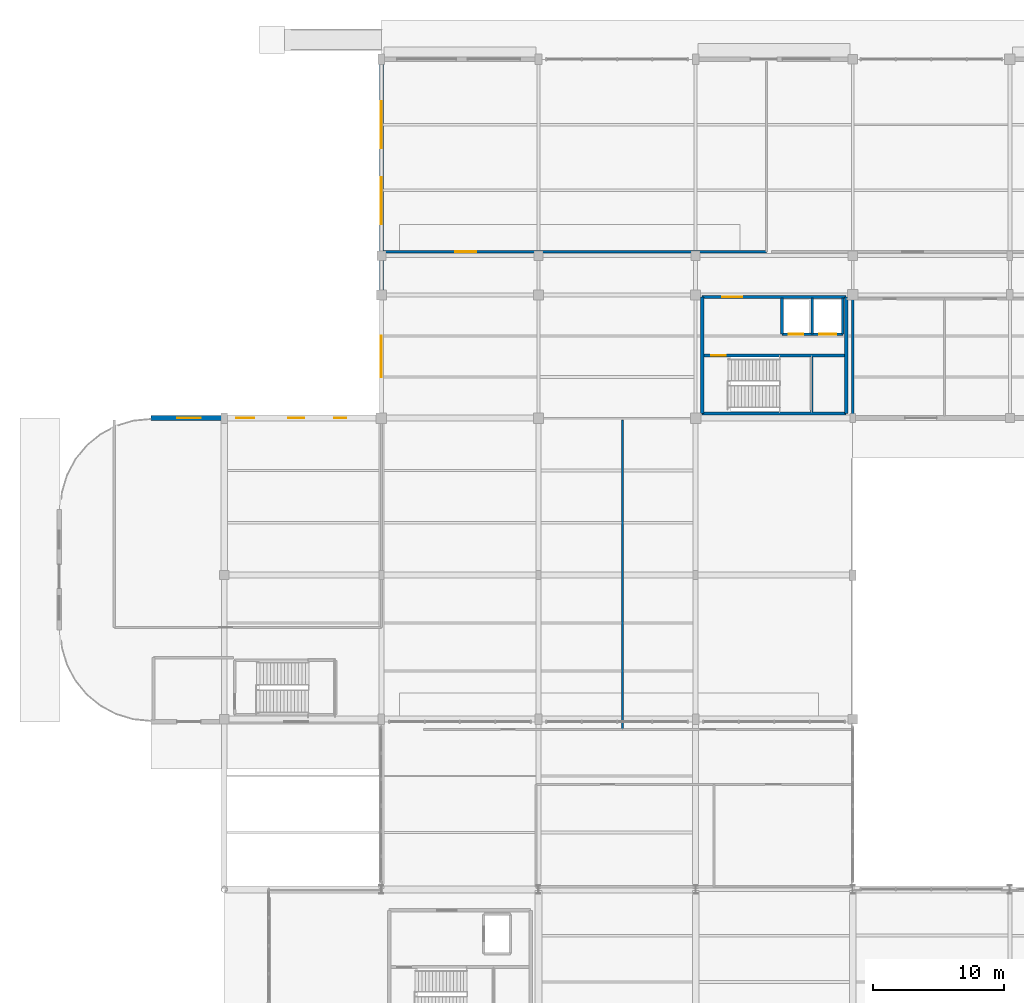
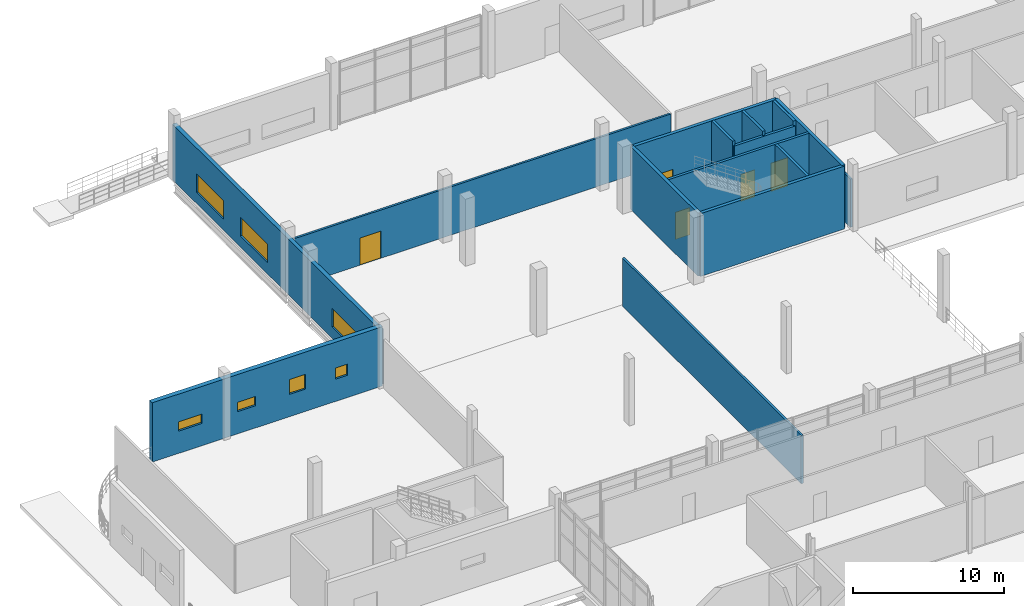
# One storey, part 60 of 85: 15 walls, 7 windows, 5 doors, 12 openings.
"""IFC4 building model written with IfcOpenShell, lengths in metres."""

from ifc_helpers import new_model, si_unit, direction, frame, frame_2d, origin, place, context, subcontext, project, spatial, rectangle, extrude, material, layer, layer_set, type_object, element, fill, save


model = new_model("IFC4")

# Units and contexts
model_context = context("Model", 3, precision=1e-05, world=origin(), true_north=direction((0.0, 1.0)))
body_context = subcontext(model_context, "Body", "Model", "MODEL_VIEW")
ifc_project = project(units=[si_unit("LENGTHUNIT", "METRE"), si_unit("AREAUNIT", "SQUARE_METRE"), si_unit("VOLUMEUNIT", "CUBIC_METRE"), si_unit("PLANEANGLEUNIT", "RADIAN"), si_unit("MASSUNIT", "GRAM", prefix="KILO"), si_unit("THERMODYNAMICTEMPERATUREUNIT", "KELVIN"), si_unit("POWERUNIT", "WATT")], contexts=[model_context])

# Site, building, storey
site_placement = place(None, origin())
site = spatial("IfcSite", under=ifc_project, at=site_placement, CompositionType="ELEMENT")
building_placement = place(site_placement, origin())
building = spatial("IfcBuilding", under=site, at=building_placement, Name="Solmara Park Aquatics Centre", CompositionType="ELEMENT")
storey_placement = place(building_placement, origin())
storey = spatial("IfcBuildingStorey", under=building, at=storey_placement, Name="L00", CompositionType="ELEMENT", Elevation=0.0)

# Wall
ifc_material_1 = material(Name="Concrete C40/50", Category="concrete")
ifc_layer_1 = layer(ifc_material_1, 0.25, Name="Concrete C40/50")
ifc_layer_set_1 = layer_set([ifc_layer_1], Name="Concrete C40/50")
wall_type_1 = type_object("IfcWallType", Name="ARC-WL-CORE250", PredefinedType="SHEAR", material=ifc_layer_set_1)
wall_1_placement = place(storey_placement, frame((49.10009765625, 108.949951171875, 0.0), z_axis=(0.0, 0.0, 1.0), x_axis=(1.0, 0.0, 0.0)))
element("IfcWall", 1, at=wall_1_placement, inside=storey, type_object=wall_type_1, Name="CORE-1 Core Wall S L00", PredefinedType="SHEAR", context=body_context, shape_type="SweptSolid", body=[
    extrude(rectangle(XDim=11.0, YDim=0.25, at=frame_2d((5.5, 0.0))), origin(), (0.0, 0.0, 1.0), 5.080078125),
])

# Wall, opening, door
wall_2_placement = place(storey_placement, frame((49.10009765625, 117.85009765625, 0.0), z_axis=(0.0, 0.0, 1.0), x_axis=(1.0, 0.0, 0.0)))
wall_2 = element("IfcWall", 2, at=wall_2_placement, inside=storey, type_object=wall_type_1, Name="CORE-1 Core Wall N L00", PredefinedType="SHEAR", context=body_context, shape_type="SweptSolid", body=[
    extrude(rectangle(XDim=11.0, YDim=0.25, at=frame_2d((5.5, 0.0))), origin(), (0.0, 0.0, 1.0), 5.080078125),
])
opening_1_placement = place(wall_2_placement, frame((1.550048828125, 0.0, 0.0)))
opening_1 = element("IfcOpeningElement", 3, at=opening_1_placement, cuts=wall_2, Name="Opening D-12", PredefinedType="OPENING", context=body_context, shape_type="SweptSolid", body=[
    extrude(rectangle(XDim=1.5, YDim=2.199951171875, at=frame_2d((0.75, 1.10009765625))), frame((0.0, 0.135009765625, 0.0), z_axis=(0.0, -1.0, 0.0), x_axis=(1.0, 0.0, 0.0)), (0.0, 0.0, 1.0), 0.27001953125),
])
ifc_material_2 = material(Name="Moisture-Resistant HPL & Hardwood", Category="wood")
door_type_1 = type_object("IfcDoorType", Name="ARC-DR-FD150x220", OperationType="DOUBLE_DOOR_SINGLE_SWING", PredefinedType="DOOR", material=ifc_material_2)
door_1_placement = place(opening_1_placement, origin())
door_1 = element("IfcDoor", 4, at=door_1_placement, inside=storey, type_object=door_type_1, Name="CORE-1 Lobby Entry Fire Door L00", OperationType="DOUBLE_DOOR_SINGLE_SWING", OverallHeight=2.199951171875, OverallWidth=1.5, PredefinedType="DOOR", context=body_context, shape_type="SweptSolid", body=[
    extrude(rectangle(XDim=1.5, YDim=2.199951171875, at=frame_2d((0.75, 1.10009765625))), frame((0.0, 0.02490234375, 0.0), z_axis=(0.0, -1.0, 0.0), x_axis=(1.0, 0.0, 0.0)), (0.0, 0.0, 1.0), 0.050048828125),
])
fill(opening_1, door_1)

# Walls
for number, where, z_axis, x_axis, name in (
    (5, (49.10009765625, 108.949951171875, 0.0), (0.0, 0.0, 1.0), (0.0, 1.0, 0.0), "CORE-1 Core Wall W L00"),
    (6, (60.10009765625, 108.949951171875, 0.0), (0.0, 0.0, 1.0), (0.0, 1.0, 0.0), "CORE-1 Core Wall E L00"),
):
    element("IfcWall", number, at=place(storey_placement, frame(where, z_axis=z_axis, x_axis=x_axis)), inside=storey, type_object=wall_type_1, Name=name, PredefinedType="SHEAR", context=body_context, shape_type="SweptSolid", body=[
        extrude(rectangle(XDim=8.900146484375, YDim=0.25, at=frame_2d((4.4501953125, 0.0))), origin(), (0.0, 0.0, 1.0), 5.080078125),
    ])

# Wall, openings, windows
ifc_material_3 = material(Name="Insulated Limestone Render Wall", Category="masonry")
ifc_layer_2 = layer(ifc_material_3, 0.300048828125, Name="Insulated Limestone Render Wall")
ifc_layer_set_2 = layer_set([ifc_layer_2], Name="Insulated Limestone Render Wall")
wall_type_2 = type_object("IfcWallType", Name="ARC-WL-EXT300", PredefinedType="SOLIDWALL", material=ifc_layer_set_2)
wall_3_placement = place(storey_placement, frame((24.60009765625, 108.60009765625, 0.0), z_axis=(0.0, 0.0, 1.0), x_axis=(0.0, 1.0, 0.0)))
wall_3 = element("IfcWall", 7, at=wall_3_placement, inside=storey, type_object=wall_type_2, Name="Exterior Facade Wall EW-L00-022", PredefinedType="SOLIDWALL", context=body_context, shape_type="SweptSolid", body=[
    extrude(rectangle(XDim=27.39990234375, YDim=0.300048828125, at=frame_2d((13.699951171875, 0.0))), origin(), (0.0, 0.0, 1.0), 4.47998046875),
])
opening_2_placement = place(wall_3_placement, frame((3.10009765625, 0.0, 0.89990234375)))
opening_2 = element("IfcOpeningElement", 8, at=opening_2_placement, cuts=wall_3, Name="Opening W-14", PredefinedType="OPENING", context=body_context, shape_type="SweptSolid", body=[
    extrude(rectangle(XDim=3.199951171875, YDim=1.5, at=frame_2d((1.60009765625, 0.75))), frame((0.0, 0.159912109375, 0.0), z_axis=(0.0, -1.0, 0.0), x_axis=(1.0, 0.0, 0.0)), (0.0, 0.0, 1.0), 0.320068359375),
])
opening_3_placement = place(wall_3_placement, frame((14.800048828125, 0.0, 0.89990234375)))
opening_3 = element("IfcOpeningElement", 9, at=opening_3_placement, cuts=wall_3, Name="Opening W-13", PredefinedType="OPENING", context=body_context, shape_type="SweptSolid", body=[
    extrude(rectangle(XDim=3.60009765625, YDim=1.5, at=frame_2d((1.800048828125, 0.75))), frame((0.0, 0.159912109375, 0.0), z_axis=(0.0, -1.0, 0.0), x_axis=(1.0, 0.0, 0.0)), (0.0, 0.0, 1.0), 0.320068359375),
])
opening_4_placement = place(wall_3_placement, frame((20.60009765625, 0.0, 0.89990234375)))
opening_4 = element("IfcOpeningElement", 10, at=opening_4_placement, cuts=wall_3, Name="Opening W-13", PredefinedType="OPENING", context=body_context, shape_type="SweptSolid", body=[
    extrude(rectangle(XDim=3.60009765625, YDim=1.5, at=frame_2d((1.800048828125, 0.75))), frame((0.0, 0.159912109375, 0.0), z_axis=(0.0, -1.0, 0.0), x_axis=(1.0, 0.0, 0.0)), (0.0, 0.0, 1.0), 0.320068359375),
])
ifc_material_4 = material(Name="Thermally Broken Aluminium and Low-E Double Glazing", Category="aluminium")
window_type_1 = type_object("IfcWindowType", Name="ARC-WN-320x150", PartitioningType="DOUBLE_PANEL_HORIZONTAL", PredefinedType="WINDOW", material=ifc_material_4)
window_1_placement = place(opening_2_placement, origin())
window_1 = element("IfcWindow", 11, at=window_1_placement, inside=storey, type_object=window_type_1, Name="Ribbon Window WN-053", OverallHeight=1.5, OverallWidth=3.199951171875, PartitioningType="DOUBLE_PANEL_HORIZONTAL", PredefinedType="WINDOW", context=body_context, shape_type="SweptSolid", body=[
    extrude(rectangle(XDim=3.199951171875, YDim=1.5, at=frame_2d((1.60009765625, 0.75))), frame((0.0, 0.030029296875, 0.0), z_axis=(0.0, -1.0, 0.0), x_axis=(1.0, 0.0, 0.0)), (0.0, 0.0, 1.0), 0.06005859375),
])
fill(opening_2, window_1)
window_type_2 = type_object("IfcWindowType", Name="ARC-WN-360x150", PartitioningType="TRIPLE_PANEL_HORIZONTAL", PredefinedType="WINDOW", material=ifc_material_4)
window_2_placement = place(opening_3_placement, origin())
window_2 = element("IfcWindow", 12, at=window_2_placement, inside=storey, type_object=window_type_2, Name="Ribbon Window WN-054", OverallHeight=1.5, OverallWidth=3.60009765625, PartitioningType="TRIPLE_PANEL_HORIZONTAL", PredefinedType="WINDOW", context=body_context, shape_type="SweptSolid", body=[
    extrude(rectangle(XDim=3.60009765625, YDim=1.5, at=frame_2d((1.800048828125, 0.75))), frame((0.0, 0.030029296875, 0.0), z_axis=(0.0, -1.0, 0.0), x_axis=(1.0, 0.0, 0.0)), (0.0, 0.0, 1.0), 0.06005859375),
])
fill(opening_3, window_2)
window_3_placement = place(opening_4_placement, origin())
window_3 = element("IfcWindow", 13, at=window_3_placement, inside=storey, type_object=window_type_2, Name="Ribbon Window WN-055", OverallHeight=1.5, OverallWidth=3.60009765625, PartitioningType="TRIPLE_PANEL_HORIZONTAL", PredefinedType="WINDOW", context=body_context, shape_type="SweptSolid", body=[
    extrude(rectangle(XDim=3.60009765625, YDim=1.5, at=frame_2d((1.800048828125, 0.75))), frame((0.0, 0.030029296875, 0.0), z_axis=(0.0, -1.0, 0.0), x_axis=(1.0, 0.0, 0.0)), (0.0, 0.0, 1.0), 0.06005859375),
])
fill(opening_4, window_3)

ifc_layer_3 = layer(ifc_material_3, 0.35009765625, Name="Insulated Limestone Render Wall")
ifc_layer_set_3 = layer_set([ifc_layer_3], Name="Insulated Limestone Render Wall")
wall_type_3 = type_object("IfcWallType", Name="ARC-WL-EXT350", PredefinedType="SOLIDWALL", material=ifc_layer_set_3)
wall_4_placement = place(storey_placement, frame((7.0, 108.60009765625, 0.0), z_axis=(0.0, 0.0, 1.0), x_axis=(1.0, 0.0, 0.0)))
wall_4 = element("IfcWall", 14, at=wall_4_placement, inside=storey, type_object=wall_type_3, Name="Exterior Facade Wall EW-L00-015", PredefinedType="SOLIDWALL", context=body_context, shape_type="SweptSolid", body=[
    extrude(rectangle(XDim=17.60009765625, YDim=0.35009765625, at=frame_2d((8.800048828125, 0.0))), origin(), (0.0, 0.0, 1.0), 4.7900390625),
])
opening_5_placement = place(wall_4_placement, frame((2.0, 0.0, 1.800048828125)))
opening_5 = element("IfcOpeningElement", 15, at=opening_5_placement, cuts=wall_4, Name="Opening W-30", PredefinedType="OPENING", context=body_context, shape_type="SweptSolid", body=[
    extrude(rectangle(XDim=1.800048828125, YDim=0.75, at=frame_2d((0.89990234375, 0.375))), frame((0.0, 0.18505859375, 0.0), z_axis=(0.0, -1.0, 0.0), x_axis=(1.0, 0.0, 0.0)), (0.0, 0.0, 1.0), 0.3701171875),
])
opening_6_placement = place(wall_4_placement, frame((6.5, 0.0, 1.800048828125)))
opening_6 = element("IfcOpeningElement", 16, at=opening_6_placement, cuts=wall_4, Name="Opening W-31", PredefinedType="OPENING", context=body_context, shape_type="SweptSolid", body=[
    extrude(rectangle(XDim=1.39990234375, YDim=0.75, at=frame_2d((0.699951171875, 0.375))), frame((0.0, 0.18505859375, 0.0), z_axis=(0.0, -1.0, 0.0), x_axis=(1.0, 0.0, 0.0)), (0.0, 0.0, 1.0), 0.3701171875),
])
opening_7_placement = place(wall_4_placement, frame((10.5, 0.0, 1.800048828125)))
opening_7 = element("IfcOpeningElement", 17, at=opening_7_placement, cuts=wall_4, Name="Opening W-09", PredefinedType="OPENING", context=body_context, shape_type="SweptSolid", body=[
    extrude(rectangle(XDim=1.199951171875, YDim=1.199951171875, at=frame_2d((0.60009765625, 0.60009765625))), frame((0.0, 0.18505859375, 0.0), z_axis=(0.0, -1.0, 0.0), x_axis=(1.0, 0.0, 0.0)), (0.0, 0.0, 1.0), 0.3701171875),
])
opening_8_placement = place(wall_4_placement, frame((14.0, 0.0, 1.800048828125)))
opening_8 = element("IfcOpeningElement", 18, at=opening_8_placement, cuts=wall_4, Name="Opening W-10", PredefinedType="OPENING", context=body_context, shape_type="SweptSolid", body=[
    extrude(rectangle(XDim=0.89990234375, YDim=0.89990234375, at=frame_2d((0.449951171875, 0.449951171875))), frame((0.0, 0.18505859375, 0.0), z_axis=(0.0, -1.0, 0.0), x_axis=(1.0, 0.0, 0.0)), (0.0, 0.0, 1.0), 0.3701171875),
])
window_type_3 = type_object("IfcWindowType", Name="ARC-WN-090x090", PartitioningType="SINGLE_PANEL", PredefinedType="WINDOW", material=ifc_material_4)
window_4_placement = place(opening_8_placement, origin())
window_4 = element("IfcWindow", 19, at=window_4_placement, inside=storey, type_object=window_type_3, Name="Ribbon Window WN-036", OverallHeight=0.89990234375, OverallWidth=0.89990234375, PartitioningType="SINGLE_PANEL", PredefinedType="WINDOW", context=body_context, shape_type="SweptSolid", body=[
    extrude(rectangle(XDim=0.89990234375, YDim=0.89990234375, at=frame_2d((0.449951171875, 0.449951171875))), frame((0.0, 0.030029296875, 0.0), z_axis=(0.0, -1.0, 0.0), x_axis=(1.0, 0.0, 0.0)), (0.0, 0.0, 1.0), 0.06005859375),
])
fill(opening_8, window_4)
window_type_4 = type_object("IfcWindowType", Name="ARC-WN-120x120", PartitioningType="SINGLE_PANEL", PredefinedType="WINDOW", material=ifc_material_4)
window_5_placement = place(opening_7_placement, origin())
window_5 = element("IfcWindow", 20, at=window_5_placement, inside=storey, type_object=window_type_4, Name="Ribbon Window WN-035", OverallHeight=1.199951171875, OverallWidth=1.199951171875, PartitioningType="SINGLE_PANEL", PredefinedType="WINDOW", context=body_context, shape_type="SweptSolid", body=[
    extrude(rectangle(XDim=1.199951171875, YDim=1.199951171875, at=frame_2d((0.60009765625, 0.60009765625))), frame((0.0, 0.030029296875, 0.0), z_axis=(0.0, -1.0, 0.0), x_axis=(1.0, 0.0, 0.0)), (0.0, 0.0, 1.0), 0.06005859375),
])
fill(opening_7, window_5)
window_type_5 = type_object("IfcWindowType", Name="ARC-WN-140x075", PartitioningType="SINGLE_PANEL", PredefinedType="WINDOW", material=ifc_material_4)
window_6_placement = place(opening_6_placement, origin())
window_6 = element("IfcWindow", 21, at=window_6_placement, inside=storey, type_object=window_type_5, Name="Ribbon Window WN-034", OverallHeight=0.75, OverallWidth=1.39990234375, PartitioningType="SINGLE_PANEL", PredefinedType="WINDOW", context=body_context, shape_type="SweptSolid", body=[
    extrude(rectangle(XDim=1.39990234375, YDim=0.75, at=frame_2d((0.699951171875, 0.375))), frame((0.0, 0.030029296875, 0.0), z_axis=(0.0, -1.0, 0.0), x_axis=(1.0, 0.0, 0.0)), (0.0, 0.0, 1.0), 0.06005859375),
])
fill(opening_6, window_6)
window_type_6 = type_object("IfcWindowType", Name="ARC-WN-180x075", PartitioningType="SINGLE_PANEL", PredefinedType="WINDOW", material=ifc_material_4)
window_7_placement = place(opening_5_placement, origin())
window_7 = element("IfcWindow", 22, at=window_7_placement, inside=storey, type_object=window_type_6, Name="Ribbon Window WN-033", OverallHeight=0.75, OverallWidth=1.800048828125, PartitioningType="SINGLE_PANEL", PredefinedType="WINDOW", context=body_context, shape_type="SweptSolid", body=[
    extrude(rectangle(XDim=1.800048828125, YDim=0.75, at=frame_2d((0.89990234375, 0.375))), frame((0.0, 0.030029296875, 0.0), z_axis=(0.0, -1.0, 0.0), x_axis=(1.0, 0.0, 0.0)), (0.0, 0.0, 1.0), 0.06005859375),
])
fill(opening_5, window_7)

# Wall, openings, doors
ifc_material_5 = material(Name="Concrete C25/30 Autoclaved Aerated Fire Blockwork", Category="masonry")
ifc_layer_4 = layer(ifc_material_5, 0.199951171875, Name="Concrete C25/30 Autoclaved Aerated Fire Blockwork")
ifc_layer_set_4 = layer_set([ifc_layer_4], Name="Concrete C25/30 Autoclaved Aerated Fire Blockwork")
wall_type_4 = type_object("IfcWallType", Name="ARC-WL-FIRE200", PredefinedType="SOLIDWALL", material=ifc_layer_set_4)
wall_5_placement = place(storey_placement, frame((55.199951171875, 115.0, 0.0), z_axis=(0.0, 0.0, 1.0), x_axis=(1.0, 0.0, 0.0)))
wall_5 = element("IfcWall", 23, at=wall_5_placement, inside=storey, type_object=wall_type_4, Name="CORE-1 Lift Shaft Front Wall L00", PredefinedType="SOLIDWALL", context=body_context, shape_type="SweptSolid", body=[
    extrude(rectangle(XDim=4.650146484375, YDim=0.199951171875, at=frame_2d((2.3251953125, 0.0))), origin(), (0.0, 0.0, 1.0), 4.719970703125),
])
opening_9_placement = place(wall_5_placement, frame((2.824951171875, 0.0, 0.0)))
opening_9 = element("IfcOpeningElement", 24, at=opening_9_placement, cuts=wall_5, Name="Opening D-10", PredefinedType="OPENING", context=body_context, shape_type="SweptSolid", body=[
    extrude(rectangle(XDim=1.300048828125, YDim=2.300048828125, at=frame_2d((0.64990234375, 1.14990234375))), frame((0.0, 0.10986328125, 0.0), z_axis=(0.0, -1.0, 0.0), x_axis=(1.0, 0.0, 0.0)), (0.0, 0.0, 1.0), 0.219970703125),
])
opening_10_placement = place(wall_5_placement, frame((0.52490234375, 0.0, 0.0)))
opening_10 = element("IfcOpeningElement", 25, at=opening_10_placement, cuts=wall_5, Name="Opening D-09", PredefinedType="OPENING", context=body_context, shape_type="SweptSolid", body=[
    extrude(rectangle(XDim=1.10009765625, YDim=2.199951171875, at=frame_2d((0.550048828125, 1.10009765625))), frame((0.0, 0.10986328125, 0.0), z_axis=(0.0, -1.0, 0.0), x_axis=(1.0, 0.0, 0.0)), (0.0, 0.0, 1.0), 0.219970703125),
])
ifc_material_6 = material(Name="Stainless Steel", Category="steel")
door_type_2 = type_object("IfcDoorType", Name="ARC-DR-LD110x220", OperationType="DOUBLE_DOOR_SLIDING", PredefinedType="DOOR", material=ifc_material_6)
door_2_placement = place(opening_10_placement, frame((1.10009765625, 0.0, 0.0), z_axis=(0.0, 0.0, 1.0), x_axis=(-1.0, 0.0, 0.0)))
door_2 = element("IfcDoor", 26, at=door_2_placement, inside=storey, type_object=door_type_2, Name="LF-02 Lift Landing Door L00", OperationType="DOUBLE_DOOR_SLIDING", OverallHeight=2.199951171875, OverallWidth=1.10009765625, PredefinedType="DOOR", context=body_context, shape_type="SweptSolid", body=[
    extrude(rectangle(XDim=1.10009765625, YDim=2.199951171875, at=frame_2d((0.550048828125, 1.10009765625))), frame((0.0, 0.02490234375, 0.0), z_axis=(0.0, -1.0, 0.0), x_axis=(1.0, 0.0, 0.0)), (0.0, 0.0, 1.0), 0.050048828125),
])
fill(opening_10, door_2)
door_type_3 = type_object("IfcDoorType", Name="ARC-DR-LD130x230", OperationType="DOUBLE_DOOR_SLIDING", PredefinedType="DOOR", material=ifc_material_6)
door_3_placement = place(opening_9_placement, frame((1.300048828125, 0.0, 0.0), z_axis=(0.0, 0.0, 1.0), x_axis=(-1.0, 0.0, 0.0)))
door_3 = element("IfcDoor", 27, at=door_3_placement, inside=storey, type_object=door_type_3, Name="LF-01 Lift Landing Door L00", OperationType="DOUBLE_DOOR_SLIDING", OverallHeight=2.300048828125, OverallWidth=1.300048828125, PredefinedType="DOOR", context=body_context, shape_type="SweptSolid", body=[
    extrude(rectangle(XDim=1.300048828125, YDim=2.300048828125, at=frame_2d((0.64990234375, 1.14990234375))), frame((0.0, 0.02490234375, 0.0), z_axis=(0.0, -1.0, 0.0), x_axis=(1.0, 0.0, 0.0)), (0.0, 0.0, 1.0), 0.050048828125),
])
fill(opening_9, door_3)

# Walls
for number, where, z_axis, x_axis, name in (
    (28, (57.5, 115.0, 0.0), (0.0, 0.0, 1.0), (0.0, 1.0, 0.0), "LF-01 Lift Shaft W Wall L00"),
    (29, (59.85009765625, 115.0, 0.0), (0.0, 0.0, 1.0), (0.0, 1.0, 0.0), "LF-01 Lift Shaft E Wall L00"),
    (30, (55.199951171875, 115.0, 0.0), (0.0, 0.0, 1.0), (0.0, 1.0, 0.0), "LF-02 Lift Shaft W Wall L00"),
):
    element("IfcWall", number, at=place(storey_placement, frame(where, z_axis=z_axis, x_axis=x_axis)), inside=storey, type_object=wall_type_4, Name=name, PredefinedType="SOLIDWALL", context=body_context, shape_type="SweptSolid", body=[
        extrude(rectangle(XDim=2.75, YDim=0.199951171875, at=frame_2d((1.375, 0.0))), origin(), (0.0, 0.0, 1.0), 5.080078125),
    ])
ifc_material_7 = material(Name="Waterproof Tile-Faced Wet-Area Plumbing Wall", Category="concrete")
ifc_layer_5 = layer(ifc_material_7, 0.159912109375, Name="Waterproof Tile-Faced Wet-Area Plumbing Wall")
ifc_layer_set_5 = layer_set([ifc_layer_5], Name="Waterproof Tile-Faced Wet-Area Plumbing Wall")
wall_type_5 = type_object("IfcWallType", Name="ARC-WL-WET160", PredefinedType="PLUMBINGWALL", material=ifc_layer_set_5)
wall_6_placement = place(storey_placement, frame((43.0, 84.800048828125, 0.0), z_axis=(0.0, 0.0, 1.0), x_axis=(0.0, 1.0, 0.0)))
element("IfcWall", 31, at=wall_6_placement, inside=storey, type_object=wall_type_5, Name="Interior Partition IW-L00-0065 (L00-CHG-F1)", PredefinedType="PLUMBINGWALL", context=body_context, shape_type="SweptSolid", body=[
    extrude(rectangle(XDim=23.64990234375, YDim=0.159912109375, at=frame_2d((11.824951171875, 0.0))), origin(), (0.0, 0.0, 1.0), 3.89990234375),
])

# Wall, opening, door
wall_7_placement = place(storey_placement, frame((24.75, 121.300048828125, 0.0), z_axis=(0.0, 0.0, 1.0), x_axis=(1.0, 0.0, 0.0)))
wall_7 = element("IfcWall", 32, at=wall_7_placement, inside=storey, type_object=wall_type_5, Name="Interior Partition IW-L00-0073 (L00-SPA-01)", PredefinedType="PLUMBINGWALL", context=body_context, shape_type="SweptSolid", body=[
    extrude(rectangle(XDim=29.25, YDim=0.159912109375, at=frame_2d((14.625, 0.0))), origin(), (0.0, 0.0, 1.0), 3.89990234375),
])
opening_11_placement = place(wall_7_placement, frame((5.5, 0.0, 0.0)))
opening_11 = element("IfcOpeningElement", 33, at=opening_11_placement, cuts=wall_7, Name="Opening D-19", PredefinedType="OPENING", context=body_context, shape_type="SweptSolid", body=[
    extrude(rectangle(XDim=1.60009765625, YDim=2.199951171875, at=frame_2d((0.800048828125, 1.10009765625))), frame((0.0, 0.08984375, 0.0), z_axis=(0.0, -1.0, 0.0), x_axis=(1.0, 0.0, 0.0)), (0.0, 0.0, 1.0), 0.179931640625),
])
door_type_4 = type_object("IfcDoorType", Name="ARC-DR-DBL160x220", OperationType="DOUBLE_DOOR_SINGLE_SWING", PredefinedType="DOOR", material=ifc_material_2)
door_4_placement = place(opening_11_placement, origin())
door_4 = element("IfcDoor", 34, at=door_4_placement, inside=storey, type_object=door_type_4, Name="Thermal Hydrotherapy, Plunge Pools and Hammam Recovery Suite Door", OperationType="DOUBLE_DOOR_SINGLE_SWING", OverallHeight=2.199951171875, OverallWidth=1.60009765625, PredefinedType="DOOR", context=body_context, shape_type="SweptSolid", body=[
    extrude(rectangle(XDim=1.60009765625, YDim=2.199951171875, at=frame_2d((0.800048828125, 1.10009765625))), frame((0.0, 0.02490234375, 0.0), z_axis=(0.0, -1.0, 0.0), x_axis=(1.0, 0.0, 0.0)), (0.0, 0.0, 1.0), 0.050048828125),
])
fill(opening_11, door_4)

# Wall
wall_8_placement = place(storey_placement, frame((60.60009765625, 108.77490234375, 0.0), z_axis=(0.0, 0.0, 1.0), x_axis=(0.0, 1.0, 0.0)))
element("IfcWall", 35, at=wall_8_placement, inside=storey, type_object=wall_type_5, Name="Interior Partition IW-L00-0079 (L00-WCF-V5)", PredefinedType="PLUMBINGWALL", context=body_context, shape_type="SweptSolid", body=[
    extrude(rectangle(XDim=8.925048828125, YDim=0.159912109375, at=frame_2d((4.46240234375, 0.0))), origin(), (0.0, 0.0, 1.0), 3.89990234375),
])

# Wall, opening, door
ifc_material_8 = material(Name="Concrete C35/45", Category="concrete")
ifc_layer_6 = layer(ifc_material_8, 0.199951171875, Name="Concrete C35/45")
ifc_layer_set_6 = layer_set([ifc_layer_6], Name="Concrete C35/45")
wall_type_6 = type_object("IfcWallType", Name="STR-WL-STAIR200", PredefinedType="SHEAR", material=ifc_layer_set_6)
wall_9_placement = place(storey_placement, frame((49.219970703125, 113.375, 0.0), z_axis=(0.0, 0.0, 1.0), x_axis=(1.0, 0.0, 0.0)))
wall_9 = element("IfcWall", 36, at=wall_9_placement, inside=storey, type_object=wall_type_6, Name="CORE-1 Stairwell Compartment Wall L00", PredefinedType="SHEAR", context=body_context, shape_type="SweptSolid", body=[
    extrude(rectangle(XDim=10.760009765625, YDim=0.199951171875, at=frame_2d((5.3798828125, 0.0))), origin(), (0.0, 0.0, 1.0), 5.080078125),
])
opening_12_placement = place(wall_9_placement, frame((0.580078125, 0.0, 0.0)))
opening_12 = element("IfcOpeningElement", 37, at=opening_12_placement, cuts=wall_9, Name="Opening D-11", PredefinedType="OPENING", context=body_context, shape_type="SweptSolid", body=[
    extrude(rectangle(XDim=1.10009765625, YDim=2.199951171875, at=frame_2d((0.550048828125, 1.10009765625))), frame((0.0, 0.10986328125, 0.0), z_axis=(0.0, -1.0, 0.0), x_axis=(1.0, 0.0, 0.0)), (0.0, 0.0, 1.0), 0.219970703125),
])
door_type_5 = type_object("IfcDoorType", Name="ARC-DR-FD110x220", OperationType="NOTDEFINED", PredefinedType="DOOR", material=ifc_material_2)
door_5_placement = place(opening_12_placement, frame((1.10009765625, 0.0, 0.0), z_axis=(0.0, 0.0, 1.0), x_axis=(-1.0, 0.0, 0.0)))
door_5 = element("IfcDoor", 38, at=door_5_placement, inside=storey, type_object=door_type_5, Name="ST-01 Fire Door L00", OperationType="SINGLE_SWING_RIGHT", OverallHeight=2.199951171875, OverallWidth=1.10009765625, PredefinedType="DOOR", context=body_context, shape_type="SweptSolid", body=[
    extrude(rectangle(XDim=1.10009765625, YDim=2.199951171875, at=frame_2d((0.550048828125, 1.10009765625))), frame((0.0, 0.02490234375, 0.0), z_axis=(0.0, -1.0, 0.0), x_axis=(1.0, 0.0, 0.0)), (0.0, 0.0, 1.0), 0.050048828125),
])
fill(opening_12, door_5)

# Wall
wall_10_placement = place(storey_placement, frame((57.4599609375, 109.070068359375, 0.0), z_axis=(0.0, 0.0, 1.0), x_axis=(0.0, 1.0, 0.0)))
element("IfcWall", 39, at=wall_10_placement, inside=storey, type_object=wall_type_6, Name="CORE-1 Stairwell East End Wall L00", PredefinedType="SHEAR", context=body_context, shape_type="SweptSolid", body=[
    extrude(rectangle(XDim=4.204833984375, YDim=0.199951171875, at=frame_2d((2.1025390625, 0.0))), origin(), (0.0, 0.0, 1.0), 5.080078125),
])

save(model, "model.ifc")
